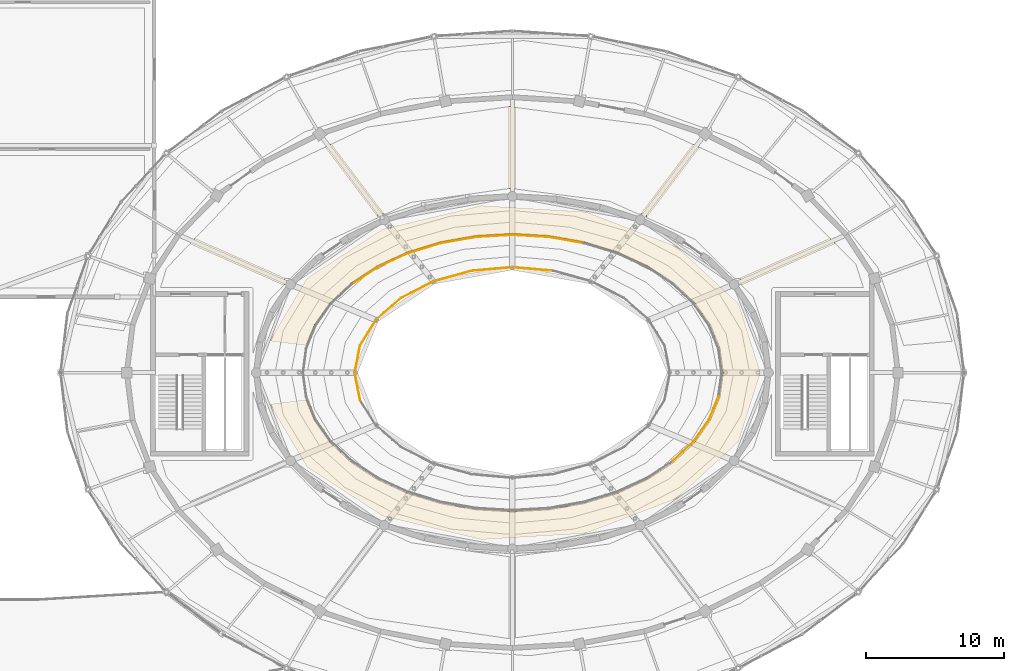
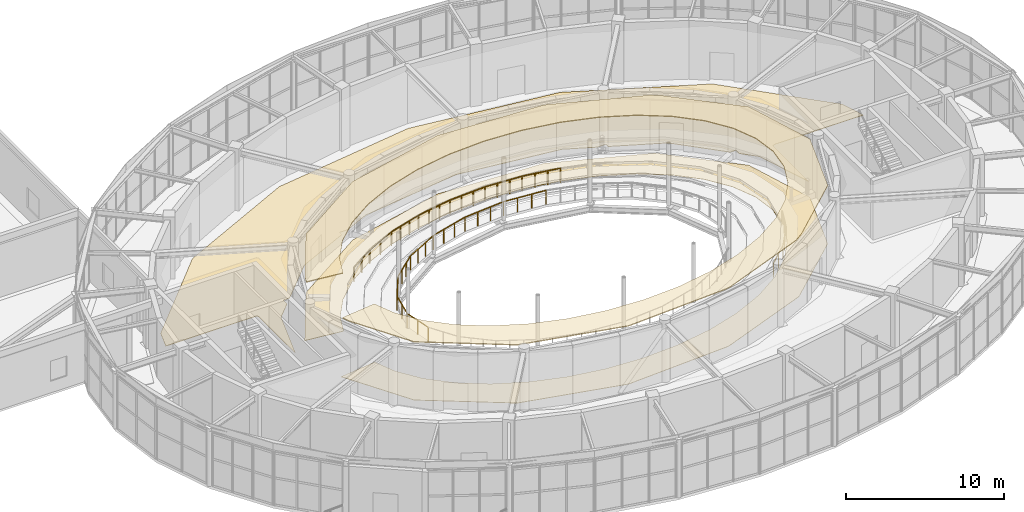
# One storey, part 101 of 108: 18 railings, 3 coverings.
"""IFC4 building model written with IfcOpenShell, lengths in metres."""

import ifcopenshell
import ifcopenshell.guid

model = None  # the IFC model being written
_history = None  # IfcOwnerHistory: only IFC2X3 demands one
_inside = {}  # id of a spatial element -> (the spatial element, [elements in it])
_under = {}  # id of a project, library or spatial element -> (it, [spatial elements below it])
_declared = {}  # id of a project -> (the project, [libraries it declares])
_typed = {}  # id of a type object -> (the type object, [elements of that type])
_made_of = {}  # id of a material, layer set ... -> (it, [elements and type objects made of it])


def new_model(schema):
    """Start an empty IFC model of exactly this schema.

    Asked for "IFC4X3", IfcOpenShell would pick the latest addendum, in which some entities
    have other attributes; the version numbers below select the first issue.
    IFC2X3 requires an IfcOwnerHistory on every rooted entity: one is made here for all.
    """
    global model, _history
    if schema == "IFC4X3":
        model = ifcopenshell.file(schema_version=(4, 3, 0, 0))
    else:
        model = ifcopenshell.file(schema=schema)
    _inside.clear()
    _under.clear()
    _declared.clear()
    _typed.clear()
    _made_of.clear()
    _history = None
    if model.schema == "IFC2X3":
        org = make("IfcOrganization", Name="unknown")
        user = make(
            "IfcPersonAndOrganization",
            ThePerson=make("IfcPerson", FamilyName="unknown"),
            TheOrganization=org,
        )
        app = make(
            "IfcApplication",
            ApplicationDeveloper=org,
            Version="unknown",
            ApplicationFullName="unknown",
            ApplicationIdentifier="unknown",
        )
        _history = make(
            "IfcOwnerHistory",
            OwningUser=user,
            OwningApplication=app,
            ChangeAction="ADDED",
            CreationDate=0,
        )
    return model


def make(cls, **values):
    """One entity of the class cls with the attributes given. An attribute that is None is left unset."""
    return model.create_entity(
        cls, **{name: value for name, value in values.items() if value is not None}
    )


def rooted(cls, **values):
    """An entity with a GlobalId (a new one), such as an element, a storey or a relation."""
    return make(cls, GlobalId=ifcopenshell.guid.new(), OwnerHistory=_history, **values)


def si_unit(unit_type, name, prefix=None):
    """IfcSIUnit, for example si_unit("LENGTHUNIT", "METRE", prefix="MILLI")."""
    return make("IfcSIUnit", UnitType=unit_type, Prefix=prefix, Name=name)


def assignment(units):
    """IfcUnitAssignment: the units of a project."""
    return None if units is None else make("IfcUnitAssignment", Units=units)


def point(xyz):
    """IfcCartesianPoint."""
    return None if xyz is None else make("IfcCartesianPoint", Coordinates=xyz)


def direction(xyz):
    """IfcDirection."""
    return None if xyz is None else make("IfcDirection", DirectionRatios=xyz)


def frame(location, z_axis=None, x_axis=None):
    """IfcAxis2Placement3D, a coordinate frame: its origin and axes. An axis left out is left unset."""
    return make(
        "IfcAxis2Placement3D",
        Location=point(location),
        Axis=direction(z_axis),
        RefDirection=direction(x_axis),
    )


def frame_2d(location, x_axis=None):
    """IfcAxis2Placement2D, a coordinate frame in the plane: its origin and x axis."""
    return make(
        "IfcAxis2Placement2D", Location=point(location), RefDirection=direction(x_axis)
    )


def origin():
    """The frame at (0, 0, 0) with its axes left unset."""
    return frame((0.0, 0.0, 0.0))


def origin_2d():
    """The frame at (0, 0) in the plane with its x axis left unset."""
    return frame_2d((0.0, 0.0))


def place(relative_to, where):
    """IfcLocalPlacement: puts the frame where relative to a parent placement (None: the world)."""
    return make(
        "IfcLocalPlacement", PlacementRelTo=relative_to, RelativePlacement=where
    )


def context(
    kind, dimensions, precision=None, world=None, true_north=None, identifier=None
):
    """IfcGeometricRepresentationContext, for example the 3D "Model" context."""
    return make(
        "IfcGeometricRepresentationContext",
        ContextIdentifier=identifier,
        ContextType=kind,
        CoordinateSpaceDimension=dimensions,
        Precision=precision,
        WorldCoordinateSystem=world,
        TrueNorth=true_north,
    )


def subcontext(parent, identifier, kind, view, scale=None):
    """IfcGeometricRepresentationSubContext, for example "Body" below "Model"."""
    return make(
        "IfcGeometricRepresentationSubContext",
        ContextIdentifier=identifier,
        ContextType=kind,
        ParentContext=parent,
        TargetScale=scale,
        TargetView=view,
    )


def project(units=None, contexts=None):
    """IfcProject with its units and contexts."""
    return rooted(
        "IfcProject",
        Name="project",
        RepresentationContexts=contexts,
        UnitsInContext=assignment(units),
    )


def spatial(cls, under=None, at=None, **own):
    """A site, building, storey or space (cls), placed at a placement, below another one or the project."""
    s = rooted(cls, ObjectPlacement=at, **own)
    if under is not None:
        _under.setdefault(under.id(), (under, []))[1].append(s)
    return s


def polyline(points):
    """IfcPolyline through the points."""
    return make("IfcPolyline", Points=[point(p) for p in points])


def profile(cls, at=None, kind="AREA", **sizes):
    """A parametric profile (cls). Its sizes go by their IFC names, for example OverallWidth=200.0."""
    return make(cls, ProfileType=kind, Position=at, **sizes)


def circle(**sizes):
    """IfcCircleProfileDef."""
    return profile("IfcCircleProfileDef", **sizes)


def outline(outer, holes=None, kind="AREA"):
    """IfcArbitraryClosedProfileDef: a profile drawn as a closed curve; with holes, ...WithVoids."""
    if holes is None:
        return make("IfcArbitraryClosedProfileDef", ProfileType=kind, OuterCurve=outer)
    return make(
        "IfcArbitraryProfileDefWithVoids",
        ProfileType=kind,
        OuterCurve=outer,
        InnerCurves=holes,
    )


def extrude(swept, where, along, depth):
    """IfcExtrudedAreaSolid: the profile swept, set in the frame where, extruded along a direction by depth."""
    return make(
        "IfcExtrudedAreaSolid",
        SweptArea=swept,
        Position=where,
        ExtrudedDirection=direction(along),
        Depth=depth,
    )


def shape(context_of_items, identifier, shape_type, items):
    """IfcShapeRepresentation: the items that make up one representation, for example the "Body"."""
    return make(
        "IfcShapeRepresentation",
        ContextOfItems=context_of_items,
        RepresentationIdentifier=identifier,
        RepresentationType=shape_type,
        Items=items,
    )


def material(Name=None, Category=None):
    """IfcMaterial."""
    return make("IfcMaterial", Name=Name, Category=Category)


def layer(
    of_material, thickness, ventilated=None, Name=None, Category=None, Priority=None
):
    """IfcMaterialLayer: one layer of a wall or slab, of a material (None: an air gap)."""
    return make(
        "IfcMaterialLayer",
        Material=of_material,
        LayerThickness=thickness,
        IsVentilated=ventilated,
        Name=Name,
        Category=Category,
        Priority=Priority,
    )


def layer_set(layers, Name=None):
    """IfcMaterialLayerSet."""
    return make("IfcMaterialLayerSet", MaterialLayers=layers, LayerSetName=Name)


def made_of(thing, what):
    """Note that an element or type object is made of a material, layer set ...; save() writes the relation."""
    if what is not None:
        _made_of.setdefault(what.id(), (what, []))[1].append(thing)
    return thing


def type_object(cls, material=None, **own):
    """A type object (cls), such as IfcWallType, which elements share."""
    return made_of(rooted(cls, **own), material)


def element(
    cls,
    number,
    at=None,
    inside=None,
    cuts=None,
    type_object=None,
    material=None,
    context=None,
    identifier="Body",
    shape_type=None,
    held_by="IfcProductDefinitionShape",
    body=None,
    shapes=None,
    **own,
):
    """One element of the class cls, such as IfcWall. Its Tag is "e" and its number.

    at: its placement. inside: the storey or other place that contains it. cuts: it is an
    opening in that element (IfcRelVoidsElement). A single representation is given by context,
    identifier, shape_type and body (its items); several are given by shapes. held_by: the class
    of the entity that holds the representations. save() writes the other relations.
    """
    e = rooted(cls, Tag="e%d" % number, ObjectPlacement=at, **own)
    if body is not None:
        shapes = [shape(context, identifier, shape_type, body)]
    if shapes is not None:
        e.Representation = make(held_by, Representations=shapes)
    if inside is not None:
        _inside.setdefault(inside.id(), (inside, []))[1].append(e)
    if cuts is not None:
        rooted(
            "IfcRelVoidsElement", RelatingBuildingElement=cuts, RelatedOpeningElement=e
        )
    if type_object is not None:
        _typed.setdefault(type_object.id(), (type_object, []))[1].append(e)
    return made_of(e, material)


def aggregate(whole, parts):
    """IfcRelAggregates: a whole, such as a stair, and the parts it consists of."""
    return rooted("IfcRelAggregates", RelatingObject=whole, RelatedObjects=parts)


def save(model, path):
    """Write the relations noted so far, then the file.

    IfcRelAggregates (storeys below a building ...), IfcRelContainedInSpatialStructure (elements
    in a storey), IfcRelDefinesByType, IfcRelAssociatesMaterial and IfcRelDeclares: one each for
    every whole, place, type object, material and project.
    """
    for whole, parts in _under.values():
        aggregate(whole, parts)
    for where, things in _inside.values():
        rooted(
            "IfcRelContainedInSpatialStructure",
            RelatedElements=things,
            RelatingStructure=where,
        )
    for kind, things in _typed.values():
        rooted("IfcRelDefinesByType", RelatedObjects=things, RelatingType=kind)
    for what, things in _made_of.values():
        rooted("IfcRelAssociatesMaterial", RelatedObjects=things, RelatingMaterial=what)
    for by, libraries in _declared.values():
        rooted("IfcRelDeclares", RelatingContext=by, RelatedDefinitions=libraries)
    model.write(path)


model = new_model("IFC4")

# Units and contexts
model_context = context("Model", 3, precision=1e-05, world=origin(), true_north=direction((0.0, 1.0)))
body_context = subcontext(model_context, "Body", "Model", "MODEL_VIEW")
ifc_project = project(units=[si_unit("LENGTHUNIT", "METRE"), si_unit("AREAUNIT", "SQUARE_METRE"), si_unit("VOLUMEUNIT", "CUBIC_METRE"), si_unit("PLANEANGLEUNIT", "RADIAN"), si_unit("MASSUNIT", "GRAM", prefix="KILO")], contexts=[model_context])

# Site, building, storey
site_placement = place(None, origin())
site = spatial("IfcSite", under=ifc_project, at=site_placement, CompositionType="ELEMENT")
building_placement = place(site_placement, origin())
building = spatial("IfcBuilding", under=site, at=building_placement, Name="Tarnveldt Headland Concert Hall", CompositionType="ELEMENT")
storey_placement = place(building_placement, frame((0.0, 0.0, 9.60009765625)))
storey = spatial("IfcBuildingStorey", under=building, at=storey_placement, Name="L02", CompositionType="ELEMENT", Elevation=9.60009765625)

# Coverings
ifc_material_1 = material(Name="Micro-perforated mvule acoustic ceiling panel", Category="timber")
ifc_layer_1 = layer(ifc_material_1, 0.06494140625, Name="Micro-perforated mvule acoustic ceiling panel", Category="timber")
ifc_layer_set_1 = layer_set([ifc_layer_1], Name="Micro-perforated mvule acoustic ceiling panel")
covering_type_1 = type_object("IfcCoveringType", Name="CV-CEIL65", PredefinedType="CEILING", material=ifc_layer_set_1)
covering_1_placement = place(storey_placement, frame((0.0, 0.0, 4.48486328125)))
element("IfcCovering", 1, at=covering_1_placement, inside=storey, type_object=covering_type_1, Name="Acoustic mvule ceiling L02-08-244", PredefinedType="CEILING", context=body_context, shape_type="SweptSolid", body=[
    extrude(outline(polyline([(65.9775390625, 56.784912109375), (66.1884765625, 57.32666015625), (68.595703125, 61.35693359375), (74.081787109375, 64.912841796875), (81.252685546875, 66.62255859375), (88.57666015625, 66.185791015625), (88.983642578125, 66.11083984375), (95.152587890625, 63.753662109375), (95.828125, 63.288818359375), (99.93212890625, 59.500244140625), (101.51123046875, 54.5), (99.93212890625, 49.499755859375), (95.828125, 45.711181640625), (95.152587890625, 45.246337890625), (88.983642578125, 42.88916015625), (88.57666015625, 42.814208984375), (81.252685546875, 42.37744140625), (74.081787109375, 44.087158203125), (68.595703125, 47.64306640625), (66.1884765625, 51.67333984375), (65.9775390625, 52.215087890625), (68.497802734375, 52.526611328125), (69.105712890625, 51.034423828125), (69.111572265625, 51.022216796875), (69.118896484375, 51.010498046875), (70.238525390625, 49.4306640625), (70.245849609375, 49.421142578125), (70.254150390625, 49.41259765625), (71.77392578125, 47.984619140625), (71.78173828125, 47.977783203125), (71.7900390625, 47.9716796875), (73.66357421875, 46.7392578125), (73.67138671875, 46.734619140625), (73.679443359375, 46.730712890625), (75.849853515625, 45.730712890625), (75.86474609375, 45.72509765625), (78.26611328125, 44.98828125), (78.280517578125, 44.98486328125), (80.839599609375, 44.53369140625), (80.853515625, 44.531982421875), (83.4931640625, 44.380126953125), (83.5068359375, 44.380126953125), (86.146484375, 44.531982421875), (86.160400390625, 44.53369140625), (88.719482421875, 44.98486328125), (88.73388671875, 44.98828125), (91.13525390625, 45.72509765625), (91.150146484375, 45.730712890625), (93.320556640625, 46.730712890625), (93.32861328125, 46.734619140625), (93.33642578125, 46.7392578125), (95.2099609375, 47.9716796875), (95.21826171875, 47.977783203125), (95.22607421875, 47.984619140625), (96.745849609375, 49.41259765625), (96.754150390625, 49.421142578125), (96.761474609375, 49.4306640625), (97.881103515625, 51.010498046875), (97.888427734375, 51.022216796875), (97.894287109375, 51.034423828125), (98.580078125, 52.71826171875), (98.583740234375, 52.727783203125), (98.586181640625, 52.73779296875), (98.588134765625, 52.747802734375), (98.819091796875, 54.484130859375), (98.81982421875, 54.49462890625), (98.81982421875, 54.50537109375), (98.819091796875, 54.515869140625), (98.588134765625, 56.252197265625), (98.586181640625, 56.26220703125), (98.583740234375, 56.272216796875), (98.580078125, 56.28173828125), (97.894287109375, 57.965576171875), (97.888427734375, 57.977783203125), (97.881103515625, 57.989501953125), (96.761474609375, 59.5693359375), (96.754150390625, 59.578857421875), (96.745849609375, 59.58740234375), (95.22607421875, 61.015380859375), (95.21826171875, 61.022216796875), (95.2099609375, 61.0283203125), (93.33642578125, 62.2607421875), (93.32861328125, 62.265380859375), (93.320556640625, 62.269287109375), (91.150146484375, 63.269287109375), (91.13525390625, 63.27490234375), (88.73388671875, 64.01171875), (88.719482421875, 64.01513671875), (86.160400390625, 64.46630859375), (86.146484375, 64.468017578125), (83.5068359375, 64.619873046875), (83.4931640625, 64.619873046875), (80.853515625, 64.468017578125), (80.839599609375, 64.46630859375), (78.280517578125, 64.01513671875), (78.26611328125, 64.01171875), (75.86474609375, 63.27490234375), (75.849853515625, 63.269287109375), (73.679443359375, 62.269287109375), (73.67138671875, 62.265380859375), (73.66357421875, 62.2607421875), (71.7900390625, 61.0283203125), (71.78173828125, 61.022216796875), (71.77392578125, 61.015380859375), (70.254150390625, 59.58740234375), (70.245849609375, 59.578857421875), (70.238525390625, 59.5693359375), (69.118896484375, 57.989501953125), (69.111572265625, 57.977783203125), (69.105712890625, 57.965576171875), (68.497802734375, 56.473388671875), (65.9775390625, 56.784912109375)])), origin(), (0.0, 0.0, 1.0), 0.06494140625),
])
ifc_material_2 = material(Name="Treated East African mvule hardwood", Category="wood")
ifc_layer_2 = layer(ifc_material_2, 0.028076171875, Name="Treated East African mvule hardwood", Category="wood")
ifc_layer_set_2 = layer_set([ifc_layer_2], Name="Treated East African mvule hardwood")
covering_type_2 = type_object("IfcCoveringType", Name="CV-FLOR28", PredefinedType="FLOORING", material=ifc_layer_set_2)
covering_2_placement = place(storey_placement, origin())
element("IfcCovering", 2, at=covering_2_placement, inside=storey, type_object=covering_type_2, Name="Architectural flooring L02-08-67", PredefinedType="FLOORING", context=body_context, shape_type="SweptSolid", body=[
    extrude(outline(polyline([(65.87255859375, 56.7978515625), (68.595703125, 61.35693359375), (74.081787109375, 64.912841796875), (81.252685546875, 66.62255859375), (88.826171875, 66.171142578125), (95.446044921875, 63.6416015625), (99.93212890625, 59.500244140625), (101.51123046875, 54.5), (99.93212890625, 49.499755859375), (95.446044921875, 45.3583984375), (88.826171875, 42.828857421875), (81.252685546875, 42.37744140625), (74.081787109375, 44.087158203125), (68.595703125, 47.64306640625), (65.87255859375, 52.2021484375), (68.538818359375, 52.53173828125), (69.142578125, 51.049560546875), (69.146484375, 51.041259765625), (69.1513671875, 51.033447265625), (70.27099609375, 49.45361328125), (70.276123046875, 49.447509765625), (70.281494140625, 49.441650390625), (71.80126953125, 48.013916015625), (71.806396484375, 48.00927734375), (71.81201171875, 48.00537109375), (73.685546875, 46.772705078125), (73.69091796875, 46.769775390625), (73.696044921875, 46.766845703125), (75.866455078125, 45.76708984375), (75.87646484375, 45.76318359375), (78.27783203125, 45.026611328125), (78.287353515625, 45.0244140625), (80.8466796875, 44.572998046875), (80.85595703125, 44.572021484375), (83.495361328125, 44.420166015625), (83.504638671875, 44.420166015625), (86.14404296875, 44.572021484375), (86.1533203125, 44.572998046875), (88.712646484375, 45.0244140625), (88.72216796875, 45.026611328125), (91.12353515625, 45.76318359375), (91.133544921875, 45.76708984375), (93.303955078125, 46.766845703125), (93.30908203125, 46.769775390625), (93.314453125, 46.772705078125), (95.18798828125, 48.00537109375), (95.193603515625, 48.00927734375), (95.19873046875, 48.013916015625), (96.718505859375, 49.441650390625), (96.723876953125, 49.447509765625), (96.72900390625, 49.45361328125), (97.8486328125, 51.033447265625), (97.853515625, 51.041259765625), (97.857421875, 51.049560546875), (98.543212890625, 52.7333984375), (98.54541015625, 52.73974609375), (98.547119140625, 52.746337890625), (98.54833984375, 52.7529296875), (98.779296875, 54.489501953125), (98.77978515625, 54.49658203125), (98.77978515625, 54.50341796875), (98.779296875, 54.510498046875), (98.54833984375, 56.2470703125), (98.547119140625, 56.253662109375), (98.54541015625, 56.26025390625), (98.543212890625, 56.2666015625), (97.857421875, 57.950439453125), (97.853515625, 57.958740234375), (97.8486328125, 57.966552734375), (96.72900390625, 59.54638671875), (96.723876953125, 59.552490234375), (96.718505859375, 59.558349609375), (95.19873046875, 60.986083984375), (95.193603515625, 60.99072265625), (95.18798828125, 60.99462890625), (93.314453125, 62.227294921875), (93.30908203125, 62.230224609375), (93.303955078125, 62.233154296875), (91.133544921875, 63.23291015625), (91.12353515625, 63.23681640625), (88.72216796875, 63.973388671875), (88.712646484375, 63.9755859375), (86.1533203125, 64.427001953125), (86.14404296875, 64.427978515625), (83.504638671875, 64.579833984375), (83.495361328125, 64.579833984375), (80.85595703125, 64.427978515625), (80.8466796875, 64.427001953125), (78.287353515625, 63.9755859375), (78.27783203125, 63.973388671875), (75.87646484375, 63.23681640625), (75.866455078125, 63.23291015625), (73.696044921875, 62.233154296875), (73.69091796875, 62.230224609375), (73.685546875, 62.227294921875), (71.81201171875, 60.99462890625), (71.806396484375, 60.99072265625), (71.80126953125, 60.986083984375), (70.281494140625, 59.558349609375), (70.276123046875, 59.552490234375), (70.27099609375, 59.54638671875), (69.1513671875, 57.966552734375), (69.146484375, 57.958740234375), (69.142578125, 57.950439453125), (68.538818359375, 56.46826171875), (65.87255859375, 56.7978515625)])), origin(), (0.0, 0.0, 1.0), 0.02783203125),
])
ifc_material_3 = material(Name="Polished coral-aggregate cementitious terrazzo flooring", Category="concrete")
ifc_layer_3 = layer(ifc_material_3, 0.034912109375, Name="Polished coral-aggregate cementitious terrazzo flooring", Category="concrete")
ifc_layer_set_3 = layer_set([ifc_layer_3], Name="Polished coral-aggregate cementitious terrazzo flooring")
covering_type_3 = type_object("IfcCoveringType", Name="CV-FLOR35", PredefinedType="FLOORING", material=ifc_layer_set_3)
covering_3_placement = place(storey_placement, origin())
element("IfcCovering", 3, at=covering_3_placement, inside=storey, type_object=covering_type_3, Name="Architectural flooring L02-10-69", PredefinedType="FLOORING", context=body_context, shape_type="SweptSolid", body=[
    extrude(outline(polyline([(108.440185546875, 62.37353515625), (108.994384765625, 60.679931640625), (102.5, 60.679931640625), (102.482421875, 60.67919921875), (102.46484375, 60.676513671875), (102.44775390625, 60.672119140625), (102.43115234375, 60.666259765625), (102.4150390625, 60.65869140625), (102.39990234375, 60.649658203125), (102.3857421875, 60.63916015625), (102.372802734375, 60.627197265625), (102.36083984375, 60.6142578125), (102.350341796875, 60.60009765625), (102.34130859375, 60.5849609375), (102.333740234375, 60.56884765625), (102.327880859375, 60.55224609375), (102.323486328125, 60.53515625), (102.32080078125, 60.517578125), (102.320068359375, 60.5), (102.320068359375, 56.033203125), (101.01123046875, 59.9521484375), (101.005126953125, 59.968017578125), (100.99755859375, 59.983154296875), (100.988525390625, 59.99755859375), (100.978271484375, 60.010986328125), (100.966796875, 60.0234375), (100.05810546875, 60.918701171875), (100.05810546875, 61.35009765625), (99.620361328125, 61.35009765625), (96.764892578125, 64.163330078125), (96.7529296875, 64.17431640625), (96.739990234375, 64.183837890625), (96.726318359375, 64.1923828125), (96.7119140625, 64.19970703125), (93.25, 65.742919921875), (93.25, 66.03515625), (92.5947265625, 66.03515625), (90.575439453125, 66.935302734375), (90.55908203125, 66.941650390625), (90.54248046875, 66.9462890625), (90.525146484375, 66.949462890625), (83.357421875, 67.8779296875), (83.34130859375, 67.87939453125), (83.324951171875, 67.87939453125), (83.308837890625, 67.877685546875), (76.165283203125, 66.8623046875), (76.148193359375, 66.859130859375), (76.13134765625, 66.85400390625), (76.114990234375, 66.847412109375), (74.36083984375, 66.03515625), (73.75, 66.03515625), (73.75, 65.752197265625), (70.048095703125, 64.03759765625), (70.03369140625, 64.0302734375), (70.019775390625, 64.021484375), (70.0068359375, 64.011474609375), (69.9951171875, 64.000244140625), (67.40380859375, 61.35009765625), (66.94189453125, 61.35009765625), (66.94189453125, 60.877685546875), (65.89794921875, 59.809814453125), (65.886474609375, 59.797119140625), (65.87646484375, 59.783203125), (65.86767578125, 59.7685546875), (65.8603515625, 59.753173828125), (65.8544921875, 59.737060546875), (64.679931640625, 55.91845703125), (64.679931640625, 60.5), (64.67919921875, 60.517578125), (64.676513671875, 60.53515625), (64.672119140625, 60.55224609375), (64.666259765625, 60.56884765625), (64.65869140625, 60.5849609375), (64.649658203125, 60.60009765625), (64.63916015625, 60.6142578125), (64.627197265625, 60.627197265625), (64.6142578125, 60.63916015625), (64.60009765625, 60.649658203125), (64.5849609375, 60.65869140625), (64.56884765625, 60.666259765625), (64.55224609375, 60.672119140625), (64.53515625, 60.676513671875), (64.517578125, 60.67919921875), (64.5, 60.679931640625), (57.951904296875, 60.679931640625), (58.369384765625, 62.065185546875), (64.24658203125, 68.2001953125), (72.973388671875, 72.324951171875), (83.260986328125, 73.817626953125), (93.58447265625, 72.45263671875), (102.412109375, 68.435791015625), (108.440185546875, 62.37353515625)])), origin(), (0.0, 0.0, 1.0), 0.034912109375),
])

# Railings
ifc_material_4 = material(Name="Marine stainless steel", Category="steel")
ifc_layer_4 = layer(ifc_material_4, 0.06005859375, Name="Marine stainless steel", Category="steel")
ifc_layer_set_4 = layer_set([ifc_layer_4], Name="Marine stainless steel")
railing_type = type_object("IfcRailingType", Name="RL-GRD110", PredefinedType="GUARDRAIL", material=ifc_layer_set_4)
railing_1_placement = place(storey_placement, frame((86.46337890625, 61.889404296875, 0.27978515625)))
element("IfcRailing", 4, at=railing_1_placement, inside=storey, type_object=railing_type, Name="GUARD Symphony tier sightline guardrail L02 6", PredefinedType="GUARDRAIL", context=body_context, shape_type="SweptSolid", body=[
    extrude(circle(Radius=0.02392578125, at=origin_2d()), frame((0.0, 0.0, 1.076171875), z_axis=(-0.996158538672, 0.087568063994, 0.0), x_axis=(-0.087568063994, -0.996158538672, 0.0)), (0.0, 0.0, 1.0), 2.974853515625),
    extrude(circle(Radius=0.02099609375, at=origin_2d()), origin(), (0.0, 0.0, 1.0), 1.052001953125),
    extrude(circle(Radius=0.02099609375, at=origin_2d()), frame((-0.98779296875, 0.0869140625, 0.0)), (0.0, 0.0, 1.0), 1.052001953125),
    extrude(circle(Radius=0.02099609375, at=origin_2d()), frame((-1.9755859375, 0.173583984375, 0.0)), (0.0, 0.0, 1.0), 1.052001953125),
    extrude(circle(Radius=0.02099609375, at=origin_2d()), frame((-2.96337890625, 0.260498046875, 0.0)), (0.0, 0.0, 1.0), 1.052001953125),
])
railing_2_placement = place(storey_placement, frame((83.5, 62.14990234375, 0.27978515625)))
element("IfcRailing", 5, at=railing_2_placement, inside=storey, type_object=railing_type, Name="GUARD Symphony tier sightline guardrail L02 7", PredefinedType="GUARDRAIL", context=body_context, shape_type="SweptSolid", body=[
    extrude(circle(Radius=0.02392578125, at=origin_2d()), frame((0.0, 0.0, 1.076171875), z_axis=(-0.996158538672, -0.087568063994, 0.0), x_axis=(0.087568063994, -0.996158538672, 0.0)), (0.0, 0.0, 1.0), 2.974853515625),
    extrude(circle(Radius=0.02099609375, at=origin_2d()), origin(), (0.0, 0.0, 1.0), 1.052001953125),
    extrude(circle(Radius=0.02099609375, at=origin_2d()), frame((-0.98779296875, -0.0869140625, 0.0)), (0.0, 0.0, 1.0), 1.052001953125),
    extrude(circle(Radius=0.02099609375, at=origin_2d()), frame((-1.9755859375, -0.173583984375, 0.0)), (0.0, 0.0, 1.0), 1.052001953125),
    extrude(circle(Radius=0.02099609375, at=origin_2d()), frame((-2.96337890625, -0.260498046875, 0.0)), (0.0, 0.0, 1.0), 1.052001953125),
])
railing_3_placement = place(storey_placement, frame((80.53662109375, 61.889404296875, 0.27978515625)))
element("IfcRailing", 6, at=railing_3_placement, inside=storey, type_object=railing_type, Name="GUARD Symphony tier sightline guardrail L02 8", PredefinedType="GUARDRAIL", context=body_context, shape_type="SweptSolid", body=[
    extrude(circle(Radius=0.02392578125, at=origin_2d()), frame((0.0, 0.0, 1.076171875), z_axis=(-0.963764063419, -0.266756124696, 0.0), x_axis=(0.266756124696, -0.963764063419, 0.0)), (0.0, 0.0, 1.0), 2.865478515625),
    extrude(circle(Radius=0.02099609375, at=origin_2d()), origin(), (0.0, 0.0, 1.0), 1.052001953125),
    extrude(circle(Radius=0.02099609375, at=origin_2d()), frame((-0.920654296875, -0.2548828125, 0.0)), (0.0, 0.0, 1.0), 1.052001953125),
    extrude(circle(Radius=0.02099609375, at=origin_2d()), frame((-1.841064453125, -0.509521484375, 0.0)), (0.0, 0.0, 1.0), 1.052001953125),
    extrude(circle(Radius=0.02099609375, at=origin_2d()), frame((-2.76171875, -0.764404296875, 0.0)), (0.0, 0.0, 1.0), 1.052001953125),
])
railing_4_placement = place(storey_placement, frame((77.77490234375, 61.125, 0.27978515625)))
element("IfcRailing", 7, at=railing_4_placement, inside=storey, type_object=railing_type, Name="GUARD Symphony tier sightline guardrail L02 9", PredefinedType="GUARDRAIL", context=body_context, shape_type="SweptSolid", body=[
    extrude(circle(Radius=0.02392578125, at=origin_2d()), frame((0.0, 0.0, 1.076171875), z_axis=(-0.889892806019, -0.456169698463, 0.0), x_axis=(0.456169698463, -0.889892806019, 0.0)), (0.0, 0.0, 1.0), 2.664794921875),
    extrude(circle(Radius=0.02099609375, at=origin_2d()), origin(), (0.0, 0.0, 1.0), 1.052001953125),
    extrude(circle(Radius=0.02099609375, at=origin_2d()), frame((-0.79052734375, -0.4052734375, 0.0)), (0.0, 0.0, 1.0), 1.052001953125),
    extrude(circle(Radius=0.02099609375, at=origin_2d()), frame((-1.580810546875, -0.810302734375, 0.0)), (0.0, 0.0, 1.0), 1.052001953125),
    extrude(circle(Radius=0.02099609375, at=origin_2d()), frame((-2.371337890625, -1.215576171875, 0.0)), (0.0, 0.0, 1.0), 1.052001953125),
])
railing_5_placement = place(storey_placement, frame((75.403564453125, 59.909423828125, 0.27978515625)))
element("IfcRailing", 8, at=railing_5_placement, inside=storey, type_object=railing_type, Name="GUARD Symphony tier sightline guardrail L02 10", PredefinedType="GUARDRAIL", context=body_context, shape_type="SweptSolid", body=[
    extrude(circle(Radius=0.02392578125, at=origin_2d()), frame((0.0, 0.0, 1.076171875), z_axis=(-0.754147872627, -0.656704641534, 0.0), x_axis=(0.656704641534, -0.754147872627, 0.0)), (0.0, 0.0, 1.0), 2.412841796875),
    extrude(circle(Radius=0.02099609375, at=origin_2d()), origin(), (0.0, 0.0, 1.0), 1.052001953125),
    extrude(circle(Radius=0.02099609375, at=origin_2d()), frame((-0.6064453125, -0.528076171875, 0.0)), (0.0, 0.0, 1.0), 1.052001953125),
    extrude(circle(Radius=0.02099609375, at=origin_2d()), frame((-1.213134765625, -1.056396484375, 0.0)), (0.0, 0.0, 1.0), 1.052001953125),
    extrude(circle(Radius=0.02099609375, at=origin_2d()), frame((-1.819580078125, -1.58447265625, 0.0)), (0.0, 0.0, 1.0), 1.052001953125),
])
railing_6_placement = place(storey_placement, frame((73.583984375, 58.324951171875, 0.27978515625)))
element("IfcRailing", 9, at=railing_6_placement, inside=storey, type_object=railing_type, Name="GUARD Symphony tier sightline guardrail L02 11", PredefinedType="GUARDRAIL", context=body_context, shape_type="SweptSolid", body=[
    extrude(circle(Radius=0.02392578125, at=origin_2d()), frame((0.0, 0.0, 1.076171875), z_axis=(-0.526912047172, -0.849919816538, 0.0), x_axis=(0.849919816538, -0.526912047172, 0.0)), (0.0, 0.0, 1.0), 2.170654296875),
    extrude(circle(Radius=0.02099609375, at=origin_2d()), origin(), (0.0, 0.0, 1.0), 1.052001953125),
    extrude(circle(Radius=0.02099609375, at=origin_2d()), frame((-0.57177734375, -0.92236328125, 0.0)), (0.0, 0.0, 1.0), 1.052001953125),
    extrude(circle(Radius=0.02099609375, at=origin_2d()), frame((-1.143798828125, -1.844970703125, 0.0)), (0.0, 0.0, 1.0), 1.052001953125),
])
railing_7_placement = place(storey_placement, frame((72.440185546875, 56.47998046875, 0.27978515625)))
element("IfcRailing", 10, at=railing_7_placement, inside=storey, type_object=railing_type, Name="GUARD Symphony tier sightline guardrail L02 12", PredefinedType="GUARDRAIL", context=body_context, shape_type="SweptSolid", body=[
    extrude(circle(Radius=0.02392578125, at=origin_2d()), frame((0.0, 0.0, 1.076171875), z_axis=(-0.193323530369, -0.981135063386, 0.0), x_axis=(0.981135063386, -0.193323530369, 0.0)), (0.0, 0.0, 1.0), 2.01806640625),
    extrude(circle(Radius=0.02099609375, at=origin_2d()), origin(), (0.0, 0.0, 1.0), 1.052001953125),
    extrude(circle(Radius=0.02099609375, at=origin_2d()), frame((-0.195068359375, -0.989990234375, 0.0)), (0.0, 0.0, 1.0), 1.052001953125),
    extrude(circle(Radius=0.02099609375, at=origin_2d()), frame((-0.39013671875, -1.97998046875, 0.0)), (0.0, 0.0, 1.0), 1.052001953125),
])
railing_8_placement = place(storey_placement, frame((72.050048828125, 54.5, 0.27978515625)))
element("IfcRailing", 11, at=railing_8_placement, inside=storey, type_object=railing_type, Name="GUARD Symphony tier sightline guardrail L02 13", PredefinedType="GUARDRAIL", context=body_context, shape_type="SweptSolid", body=[
    extrude(circle(Radius=0.02392578125, at=origin_2d()), frame((0.0, 0.0, 1.076171875), z_axis=(0.193323530369, -0.981135063386, 0.0), x_axis=(0.981135063386, 0.193323530369, 0.0)), (0.0, 0.0, 1.0), 2.01806640625),
    extrude(circle(Radius=0.02099609375, at=origin_2d()), origin(), (0.0, 0.0, 1.0), 1.052001953125),
    extrude(circle(Radius=0.02099609375, at=origin_2d()), frame((0.195068359375, -0.989990234375, 0.0)), (0.0, 0.0, 1.0), 1.052001953125),
    extrude(circle(Radius=0.02099609375, at=origin_2d()), frame((0.39013671875, -1.97998046875, 0.0)), (0.0, 0.0, 1.0), 1.052001953125),
])
railing_9_placement = place(storey_placement, frame((88.69873046875, 63.89697265625, 0.0)))
element("IfcRailing", 12, at=railing_9_placement, inside=storey, type_object=railing_type, Name="GUARD Auditorium void guardrail L02 8", PredefinedType="GUARDRAIL", context=body_context, shape_type="SweptSolid", body=[
    extrude(circle(Radius=0.02392578125, at=origin_2d()), frame((0.0, 0.0, 1.076171875), z_axis=(-0.984814752515, 0.173608476834, 0.0), x_axis=(-0.173608476834, -0.984814752515, 0.0)), (0.0, 0.0, 1.0), 2.598876953125),
    extrude(circle(Radius=0.02099609375, at=origin_2d()), origin(), (0.0, 0.0, 1.0), 1.052001953125),
    extrude(circle(Radius=0.02099609375, at=origin_2d()), frame((-0.85302734375, 0.150390625, 0.0)), (0.0, 0.0, 1.0), 1.052001953125),
    extrude(circle(Radius=0.02099609375, at=origin_2d()), frame((-1.706298828125, 0.30078125, 0.0)), (0.0, 0.0, 1.0), 1.052001953125),
    extrude(circle(Radius=0.02099609375, at=origin_2d()), frame((-2.559326171875, 0.451171875, 0.0)), (0.0, 0.0, 1.0), 1.052001953125),
])
railing_10_placement = place(storey_placement, frame((86.139404296875, 64.34814453125, 0.0)))
element("IfcRailing", 13, at=railing_10_placement, inside=storey, type_object=railing_type, Name="GUARD Auditorium void guardrail L02 9", PredefinedType="GUARDRAIL", context=body_context, shape_type="SweptSolid", body=[
    extrude(circle(Radius=0.02392578125, at=origin_2d()), frame((0.0, 0.0, 1.076171875), z_axis=(-0.99834901745, 0.057439005536, 0.0), x_axis=(-0.057439005536, -0.99834901745, 0.0)), (0.0, 0.0, 1.0), 2.643798828125),
    extrude(circle(Radius=0.02099609375, at=origin_2d()), origin(), (0.0, 0.0, 1.0), 1.052001953125),
    extrude(circle(Radius=0.02099609375, at=origin_2d()), frame((-0.8798828125, 0.050537109375, 0.0)), (0.0, 0.0, 1.0), 1.052001953125),
    extrude(circle(Radius=0.02099609375, at=origin_2d()), frame((-1.759521484375, 0.101318359375, 0.0)), (0.0, 0.0, 1.0), 1.052001953125),
    extrude(circle(Radius=0.02099609375, at=origin_2d()), frame((-2.639404296875, 0.15185546875, 0.0)), (0.0, 0.0, 1.0), 1.052001953125),
])
railing_11_placement = place(storey_placement, frame((83.5, 64.5, 0.0)))
element("IfcRailing", 14, at=railing_11_placement, inside=storey, type_object=railing_type, Name="GUARD Auditorium void guardrail L02 10", PredefinedType="GUARDRAIL", context=body_context, shape_type="SweptSolid", body=[
    extrude(circle(Radius=0.02392578125, at=origin_2d()), frame((0.0, 0.0, 1.076171875), z_axis=(-0.99834901745, -0.057439005536, 0.0), x_axis=(0.057439005536, -0.99834901745, 0.0)), (0.0, 0.0, 1.0), 2.643798828125),
    extrude(circle(Radius=0.02099609375, at=origin_2d()), origin(), (0.0, 0.0, 1.0), 1.052001953125),
    extrude(circle(Radius=0.02099609375, at=origin_2d()), frame((-0.8798828125, -0.050537109375, 0.0)), (0.0, 0.0, 1.0), 1.052001953125),
    extrude(circle(Radius=0.02099609375, at=origin_2d()), frame((-1.759521484375, -0.101318359375, 0.0)), (0.0, 0.0, 1.0), 1.052001953125),
    extrude(circle(Radius=0.02099609375, at=origin_2d()), frame((-2.639404296875, -0.15185546875, 0.0)), (0.0, 0.0, 1.0), 1.052001953125),
])
railing_12_placement = place(storey_placement, frame((80.860595703125, 64.34814453125, 0.0)))
element("IfcRailing", 15, at=railing_12_placement, inside=storey, type_object=railing_type, Name="GUARD Auditorium void guardrail L02 11", PredefinedType="GUARDRAIL", context=body_context, shape_type="SweptSolid", body=[
    extrude(circle(Radius=0.02392578125, at=origin_2d()), frame((0.0, 0.0, 1.076171875), z_axis=(-0.984814752515, -0.173608476834, 0.0), x_axis=(0.173608476834, -0.984814752515, 0.0)), (0.0, 0.0, 1.0), 2.598876953125),
    extrude(circle(Radius=0.02099609375, at=origin_2d()), origin(), (0.0, 0.0, 1.0), 1.052001953125),
    extrude(circle(Radius=0.02099609375, at=origin_2d()), frame((-0.85302734375, -0.150390625, 0.0)), (0.0, 0.0, 1.0), 1.052001953125),
    extrude(circle(Radius=0.02099609375, at=origin_2d()), frame((-1.706298828125, -0.30078125, 0.0)), (0.0, 0.0, 1.0), 1.052001953125),
    extrude(circle(Radius=0.02099609375, at=origin_2d()), frame((-2.559326171875, -0.451171875, 0.0)), (0.0, 0.0, 1.0), 1.052001953125),
])
railing_13_placement = place(storey_placement, frame((78.30126953125, 63.89697265625, 0.0)))
element("IfcRailing", 16, at=railing_13_placement, inside=storey, type_object=railing_type, Name="GUARD Auditorium void guardrail L02 12", PredefinedType="GUARDRAIL", context=body_context, shape_type="SweptSolid", body=[
    extrude(circle(Radius=0.02392578125, at=origin_2d()), frame((0.0, 0.0, 1.076171875), z_axis=(-0.956037133001, -0.293245631381, 0.0), x_axis=(0.293245631381, -0.956037133001, 0.0)), (0.0, 0.0, 1.0), 2.51171875),
    extrude(circle(Radius=0.02099609375, at=origin_2d()), origin(), (0.0, 0.0, 1.0), 1.052001953125),
    extrude(circle(Radius=0.02099609375, at=origin_2d()), frame((-0.800537109375, -0.24560546875, 0.0)), (0.0, 0.0, 1.0), 1.052001953125),
    extrude(circle(Radius=0.02099609375, at=origin_2d()), frame((-1.600830078125, -0.490966796875, 0.0)), (0.0, 0.0, 1.0), 1.052001953125),
    extrude(circle(Radius=0.02099609375, at=origin_2d()), frame((-2.4013671875, -0.736572265625, 0.0)), (0.0, 0.0, 1.0), 1.052001953125),
])
railing_14_placement = place(storey_placement, frame((75.89990234375, 63.160400390625, 0.0)))
element("IfcRailing", 17, at=railing_14_placement, inside=storey, type_object=railing_type, Name="GUARD Auditorium void guardrail L02 13", PredefinedType="GUARDRAIL", context=body_context, shape_type="SweptSolid", body=[
    extrude(circle(Radius=0.02392578125, at=origin_2d()), frame((0.0, 0.0, 1.076171875), z_axis=(-0.908234283008, -0.418462049854, 0.0), x_axis=(0.418462049854, -0.908234283008, 0.0)), (0.0, 0.0, 1.0), 2.3896484375),
    extrude(circle(Radius=0.02099609375, at=origin_2d()), origin(), (0.0, 0.0, 1.0), 1.052001953125),
    extrude(circle(Radius=0.02099609375, at=origin_2d()), frame((-1.085205078125, -0.5, 0.0)), (0.0, 0.0, 1.0), 1.052001953125),
    extrude(circle(Radius=0.02099609375, at=origin_2d()), frame((-2.17041015625, -1.0, 0.0)), (0.0, 0.0, 1.0), 1.052001953125),
])
railing_15_placement = place(storey_placement, frame((73.7294921875, 62.160400390625, 0.0)))
element("IfcRailing", 18, at=railing_15_placement, inside=storey, type_object=railing_type, Name="GUARD Auditorium void guardrail L02 14", PredefinedType="GUARDRAIL", context=body_context, shape_type="SweptSolid", body=[
    extrude(circle(Radius=0.02392578125, at=origin_2d()), frame((0.0, 0.0, 1.076171875), z_axis=(-0.835418397825, -0.549614501788, 0.0), x_axis=(0.549614501788, -0.835418397825, 0.0)), (0.0, 0.0, 1.0), 2.242431640625),
    extrude(circle(Radius=0.02099609375, at=origin_2d()), origin(), (0.0, 0.0, 1.0), 1.052001953125),
    extrude(circle(Radius=0.02099609375, at=origin_2d()), frame((-0.9365234375, -0.6162109375, 0.0)), (0.0, 0.0, 1.0), 1.052001953125),
    extrude(circle(Radius=0.02099609375, at=origin_2d()), frame((-1.873291015625, -1.232421875, 0.0)), (0.0, 0.0, 1.0), 1.052001953125),
])
railing_16_placement = place(storey_placement, frame((95.143798828125, 48.072021484375, 0.0)))
element("IfcRailing", 19, at=railing_16_placement, inside=storey, type_object=railing_type, Name="GUARD Auditorium void guardrail L02 33", PredefinedType="GUARDRAIL", context=body_context, shape_type="SweptSolid", body=[
    extrude(circle(Radius=0.02392578125, at=origin_2d()), frame((0.0, 0.0, 1.076171875), z_axis=(0.728773712747, 0.684754609776, 0.0), x_axis=(-0.684754609776, 0.728773712747, 0.0)), (0.0, 0.0, 1.0), 2.08544921875),
    extrude(circle(Radius=0.02099609375, at=origin_2d()), origin(), (0.0, 0.0, 1.0), 1.052001953125),
    extrude(circle(Radius=0.02099609375, at=origin_2d()), frame((0.759765625, 0.7138671875, 0.0)), (0.0, 0.0, 1.0), 1.052001953125),
    extrude(circle(Radius=0.02099609375, at=origin_2d()), frame((1.519775390625, 1.427978515625, 0.0)), (0.0, 0.0, 1.0), 1.052001953125),
])
railing_17_placement = place(storey_placement, frame((96.66357421875, 49.5, 0.0)))
element("IfcRailing", 20, at=railing_17_placement, inside=storey, type_object=railing_type, Name="GUARD Auditorium void guardrail L02 34", PredefinedType="GUARDRAIL", context=body_context, shape_type="SweptSolid", body=[
    extrude(circle(Radius=0.02392578125, at=origin_2d()), frame((0.0, 0.0, 1.076171875), z_axis=(0.578216724182, 0.815883214606, 0.0), x_axis=(-0.815883214606, 0.578216724182, 0.0)), (0.0, 0.0, 1.0), 1.936279296875),
    extrude(circle(Radius=0.02099609375, at=origin_2d()), origin(), (0.0, 0.0, 1.0), 1.052001953125),
    extrude(circle(Radius=0.02099609375, at=origin_2d()), frame((0.559814453125, 0.7900390625, 0.0)), (0.0, 0.0, 1.0), 1.052001953125),
    extrude(circle(Radius=0.02099609375, at=origin_2d()), frame((1.11962890625, 1.579833984375, 0.0)), (0.0, 0.0, 1.0), 1.052001953125),
])
railing_18_placement = place(storey_placement, frame((97.783203125, 51.079833984375, 0.0)))
element("IfcRailing", 21, at=railing_18_placement, inside=storey, type_object=railing_type, Name="GUARD Auditorium void guardrail L02 35", PredefinedType="GUARDRAIL", context=body_context, shape_type="SweptSolid", body=[
    extrude(circle(Radius=0.02392578125, at=origin_2d()), frame((0.0, 0.0, 1.076171875), z_axis=(0.377241429706, 0.926114951674, 0.0), x_axis=(-0.926114951674, 0.377241429706, 0.0)), (0.0, 0.0, 1.0), 1.81787109375),
    extrude(circle(Radius=0.02099609375, at=origin_2d()), origin(), (0.0, 0.0, 1.0), 1.052001953125),
    extrude(circle(Radius=0.02099609375, at=origin_2d()), frame((0.3427734375, 0.841796875, 0.0)), (0.0, 0.0, 1.0), 1.052001953125),
    extrude(circle(Radius=0.02099609375, at=origin_2d()), frame((0.685791015625, 1.68359375, 0.0)), (0.0, 0.0, 1.0), 1.052001953125),
])

save(model, "model.ifc")
